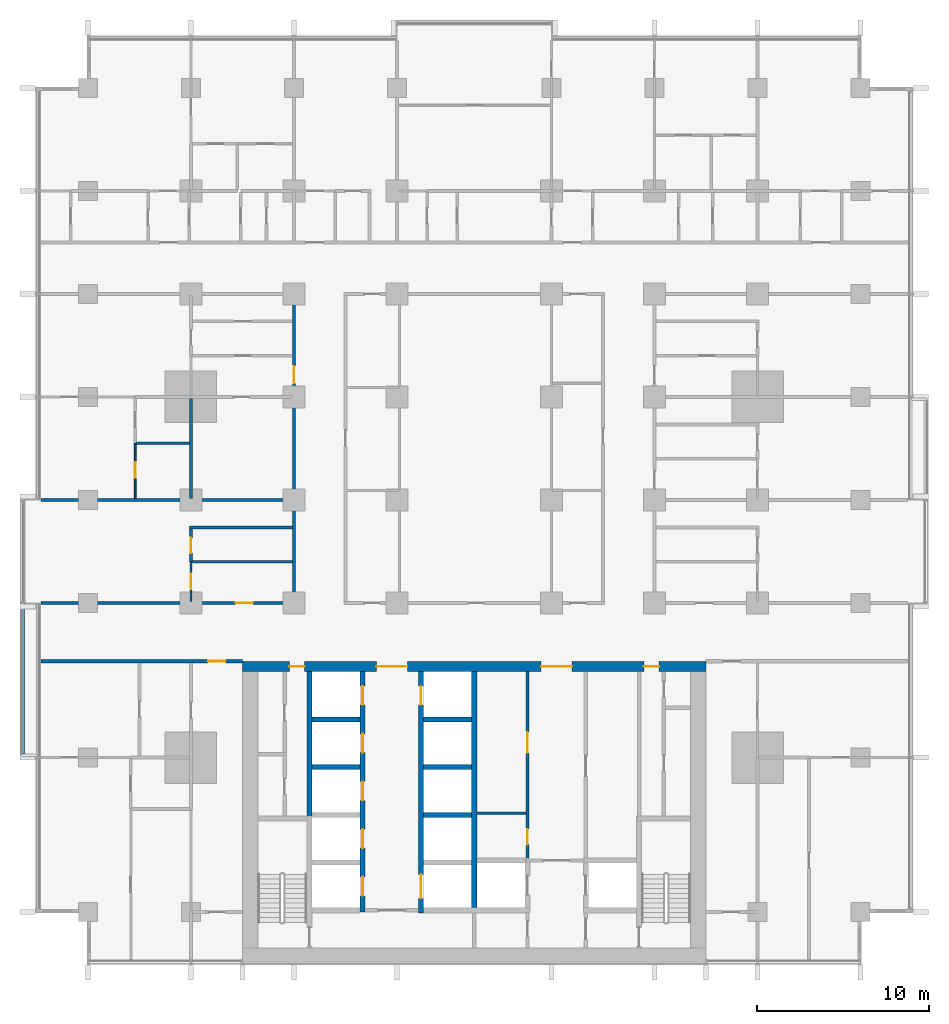
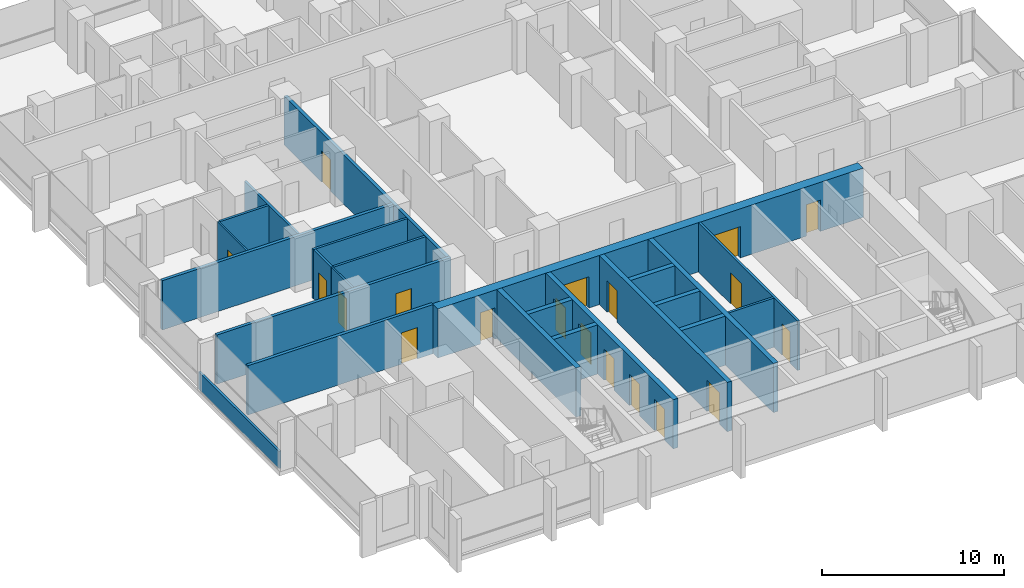
# One storey, part 8 of 18: 24 walls, 19 doors, 19 openings.
"""IFC4 building model written with IfcOpenShell, lengths in metres."""

from ifc_helpers import new_model, si_unit, direction, frame, frame_2d, origin, place, context, subcontext, project, spatial, rectangle, extrude, material, layer, layer_set, type_object, element, fill, save


model = new_model("IFC4")

# Units and contexts
model_context = context("Model", 3, precision=1e-05, world=origin(), true_north=direction((0.0, 1.0)))
body_context = subcontext(model_context, "Body", "Model", "MODEL_VIEW")
ifc_project = project(units=[si_unit("LENGTHUNIT", "METRE"), si_unit("AREAUNIT", "SQUARE_METRE"), si_unit("VOLUMEUNIT", "CUBIC_METRE"), si_unit("PLANEANGLEUNIT", "RADIAN"), si_unit("MASSUNIT", "GRAM", prefix="KILO")], contexts=[model_context])

# Site, building, storey
site_placement = place(None, origin())
site = spatial("IfcSite", under=ifc_project, at=site_placement, CompositionType="ELEMENT")
building_placement = place(site_placement, origin())
building = spatial("IfcBuilding", under=site, at=building_placement, Name="Finial Court Residences", CompositionType="ELEMENT")
storey_placement = place(building_placement, frame((0.0, 0.0, 43.300048828125)))
storey = spatial("IfcBuildingStorey", under=building, at=storey_placement, Name="L09", CompositionType="ELEMENT", Elevation=43.300048828125)

# Wall
ifc_material_1 = material(Name="Gypsum board")
ifc_layer_1 = layer(ifc_material_1, 0.02490234375)
ifc_material_2 = material(Name="Acoustic mineral wool in double frame")
ifc_layer_2 = layer(ifc_material_2, 0.14990234375)
ifc_layer_3 = layer(ifc_material_1, 0.02490234375)
ifc_layer_set_1 = layer_set([ifc_layer_1, ifc_layer_2, ifc_layer_3], Name="Acoustic party wall 200, 1 hour")
wall_type_1 = type_object("IfcWallType", Name="Acoustic party wall 200, 1 hour", PredefinedType="PARTITIONING", material=ifc_layer_set_1)
wall_1_placement = place(storey_placement, frame((-25.25, 1.5, 0.0), z_axis=(0.0, 0.0, 1.0), x_axis=(1.0, 0.0, 0.0)))
element("IfcWall", 1, at=wall_1_placement, inside=storey, type_object=wall_type_1, Name="Partition L09-016", PredefinedType="PARTITIONING", context=body_context, shape_type="SweptSolid", body=[
    extrude(rectangle(XDim=14.64990234375, YDim=0.199951171875, at=frame_2d((7.324951171875, 0.0))), origin(), (0.0, 0.0, 1.0), 3.300048828125),
])

# Wall, openings, doors
ifc_material_3 = material(Name="Concrete C80/95", Category="concrete")
ifc_layer_4 = layer(ifc_material_3, 0.60009765625)
ifc_layer_set_2 = layer_set([ifc_layer_4], Name="Core outer wall 600 Concrete C80/95")
wall_type_2 = type_object("IfcWallType", Name="Core outer wall 600 Concrete C80/95", PredefinedType="SHEAR", material=ifc_layer_set_2)
wall_2_placement = place(storey_placement, frame((-13.5, -8.199951171875, 0.0), z_axis=(0.0, 0.0, 1.0), x_axis=(1.0, 0.0, 0.0)))
wall_2 = element("IfcWall", 2, at=wall_2_placement, inside=storey, type_object=wall_type_2, Name="Core outer wall L09-02", PredefinedType="SHEAR", context=body_context, shape_type="SweptSolid", body=[
    extrude(rectangle(XDim=27.0, YDim=0.60009765625, at=frame_2d((13.5, 0.0))), origin(), (0.0, 0.0, 1.0), 3.300048828125),
])
opening_1_placement = place(wall_2_placement, frame((7.800048828125, 0.0, 0.0)))
opening_1 = element("IfcOpeningElement", 3, at=opening_1_placement, cuts=wall_2, Name="Opening L09-C04", PredefinedType="OPENING", context=body_context, shape_type="SweptSolid", body=[
    extrude(rectangle(XDim=1.800048828125, YDim=2.10009765625, at=frame_2d((0.89990234375, 1.050048828125))), frame((0.0, 0.31005859375, 0.0), z_axis=(0.0, -1.0, 0.0), x_axis=(1.0, 0.0, 0.0)), (0.0, 0.0, 1.0), 0.6201171875),
])
opening_2_placement = place(wall_2_placement, frame((17.39990234375, 0.0, 0.0)))
opening_2 = element("IfcOpeningElement", 4, at=opening_2_placement, cuts=wall_2, Name="Opening L09-C05", PredefinedType="OPENING", context=body_context, shape_type="SweptSolid", body=[
    extrude(rectangle(XDim=1.800048828125, YDim=2.10009765625, at=frame_2d((0.89990234375, 1.050048828125))), frame((0.0, 0.31005859375, 0.0), z_axis=(0.0, -1.0, 0.0), x_axis=(1.0, 0.0, 0.0)), (0.0, 0.0, 1.0), 0.6201171875),
])
opening_3_placement = place(wall_2_placement, frame((2.72509765625, 0.0, 0.0)))
opening_3 = element("IfcOpeningElement", 5, at=opening_3_placement, cuts=wall_2, Name="Opening L09-C10", PredefinedType="OPENING", context=body_context, shape_type="SweptSolid", body=[
    extrude(rectangle(XDim=0.89990234375, YDim=2.10009765625, at=frame_2d((0.449951171875, 1.050048828125))), frame((0.0, 0.31005859375, 0.0), z_axis=(0.0, -1.0, 0.0), x_axis=(1.0, 0.0, 0.0)), (0.0, 0.0, 1.0), 0.6201171875),
])
opening_4_placement = place(wall_2_placement, frame((23.375, 0.0, 0.0)))
opening_4 = element("IfcOpeningElement", 6, at=opening_4_placement, cuts=wall_2, Name="Opening L09-C11", PredefinedType="OPENING", context=body_context, shape_type="SweptSolid", body=[
    extrude(rectangle(XDim=0.89990234375, YDim=2.10009765625, at=frame_2d((0.449951171875, 1.050048828125))), frame((0.0, 0.31005859375, 0.0), z_axis=(0.0, -1.0, 0.0), x_axis=(1.0, 0.0, 0.0)), (0.0, 0.0, 1.0), 0.6201171875),
])
ifc_material_4 = material(Name="Steel fire door", Category="steel")
door_type_1 = type_object("IfcDoorType", Name="Lift lobby door 1800 x 2100 EI 60", OperationType="DOUBLE_DOOR_SINGLE_SWING", PredefinedType="DOOR", material=ifc_material_4)
door_1_placement = place(opening_1_placement, origin())
door_1 = element("IfcDoor", 7, at=door_1_placement, inside=storey, type_object=door_type_1, Name="Lift lobby door L09-C04", OperationType="DOUBLE_DOOR_SINGLE_SWING", OverallHeight=2.10009765625, OverallWidth=1.800048828125, PredefinedType="DOOR", context=body_context, shape_type="SweptSolid", body=[
    extrude(rectangle(XDim=1.800048828125, YDim=2.10009765625, at=frame_2d((0.89990234375, 1.050048828125))), frame((0.0, 0.02490234375, 0.0), z_axis=(0.0, -1.0, 0.0), x_axis=(1.0, 0.0, 0.0)), (0.0, 0.0, 1.0), 0.050048828125),
])
fill(opening_1, door_1)
door_2_placement = place(opening_2_placement, origin())
door_2 = element("IfcDoor", 8, at=door_2_placement, inside=storey, type_object=door_type_1, Name="Lift lobby door L09-C05", OperationType="DOUBLE_DOOR_SINGLE_SWING", OverallHeight=2.10009765625, OverallWidth=1.800048828125, PredefinedType="DOOR", context=body_context, shape_type="SweptSolid", body=[
    extrude(rectangle(XDim=1.800048828125, YDim=2.10009765625, at=frame_2d((0.89990234375, 1.050048828125))), frame((0.0, 0.02490234375, 0.0), z_axis=(0.0, -1.0, 0.0), x_axis=(1.0, 0.0, 0.0)), (0.0, 0.0, 1.0), 0.050048828125),
])
fill(opening_2, door_2)
door_type_2 = type_object("IfcDoorType", Name="Riser room door 900 x 2100 EI 90", OperationType="NOTDEFINED", PredefinedType="DOOR", material=ifc_material_4)
door_3_placement = place(opening_3_placement, origin())
door_3 = element("IfcDoor", 9, at=door_3_placement, inside=storey, type_object=door_type_2, Name="Riser room door L09-C10", OperationType="SINGLE_SWING_RIGHT", OverallHeight=2.10009765625, OverallWidth=0.89990234375, PredefinedType="DOOR", context=body_context, shape_type="SweptSolid", body=[
    extrude(rectangle(XDim=0.89990234375, YDim=2.10009765625, at=frame_2d((0.449951171875, 1.050048828125))), frame((0.0, 0.02490234375, 0.0), z_axis=(0.0, -1.0, 0.0), x_axis=(1.0, 0.0, 0.0)), (0.0, 0.0, 1.0), 0.050048828125),
])
fill(opening_3, door_3)
door_4_placement = place(opening_4_placement, origin())
door_4 = element("IfcDoor", 10, at=door_4_placement, inside=storey, type_object=door_type_2, Name="Riser room door L09-C11", OperationType="SINGLE_SWING_LEFT", OverallHeight=2.10009765625, OverallWidth=0.89990234375, PredefinedType="DOOR", context=body_context, shape_type="SweptSolid", body=[
    extrude(rectangle(XDim=0.89990234375, YDim=2.10009765625, at=frame_2d((0.449951171875, 1.050048828125))), frame((0.0, 0.02490234375, 0.0), z_axis=(0.0, -1.0, 0.0), x_axis=(1.0, 0.0, 0.0)), (0.0, 0.0, 1.0), 0.050048828125),
])
fill(opening_4, door_4)

# Wall
ifc_material_5 = material(Name="Fire-rated gypsum board partition")
ifc_layer_5 = layer(ifc_material_5, 0.14990234375)
ifc_layer_set_3 = layer_set([ifc_layer_5], Name="Core room partition 150 EI 60")
wall_type_3 = type_object("IfcWallType", Name="Core room partition 150 EI 60", PredefinedType="PARTITIONING", material=ifc_layer_set_3)
wall_3_placement = place(storey_placement, frame((0.14990234375, -16.75, 0.0), z_axis=(0.0, 0.0, 1.0), x_axis=(1.0, 0.0, 0.0)))
element("IfcWall", 11, at=wall_3_placement, inside=storey, type_object=wall_type_3, Name="Core partition L09-14", PredefinedType="PARTITIONING", context=body_context, shape_type="SweptSolid", body=[
    extrude(rectangle(XDim=2.875, YDim=0.14990234375, at=frame_2d((1.4375, 0.0))), origin(), (0.0, 0.0, 1.0), 3.300048828125),
])

# Wall, openings, doors
wall_4_placement = place(storey_placement, frame((3.10009765625, -19.39990234375, 0.0), z_axis=(0.0, 0.0, 1.0), x_axis=(0.0, 1.0, 0.0)))
wall_4 = element("IfcWall", 12, at=wall_4_placement, inside=storey, type_object=wall_type_3, Name="Core partition L09-31", PredefinedType="PARTITIONING", context=body_context, shape_type="SweptSolid", body=[
    extrude(rectangle(XDim=10.89990234375, YDim=0.14990234375, at=frame_2d((5.449951171875, 0.0))), origin(), (0.0, 0.0, 1.0), 3.300048828125),
])
opening_5_placement = place(wall_4_placement, frame((0.824951171875, 0.0, 0.0)))
opening_5 = element("IfcOpeningElement", 13, at=opening_5_placement, cuts=wall_4, Name="Opening L09-C14", PredefinedType="OPENING", context=body_context, shape_type="SweptSolid", body=[
    extrude(rectangle(XDim=0.89990234375, YDim=2.10009765625, at=frame_2d((0.449951171875, 1.050048828125))), frame((0.0, 0.0849609375, 0.0), z_axis=(0.0, -1.0, 0.0), x_axis=(1.0, 0.0, 0.0)), (0.0, 0.0, 1.0), 0.169921875),
])
opening_6_placement = place(wall_4_placement, frame((6.175048828125, 0.0, 0.0)))
opening_6 = element("IfcOpeningElement", 14, at=opening_6_placement, cuts=wall_4, Name="Opening L09-C15", PredefinedType="OPENING", context=body_context, shape_type="SweptSolid", body=[
    extrude(rectangle(XDim=1.199951171875, YDim=2.10009765625, at=frame_2d((0.60009765625, 1.050048828125))), frame((0.0, 0.0849609375, 0.0), z_axis=(0.0, -1.0, 0.0), x_axis=(1.0, 0.0, 0.0)), (0.0, 0.0, 1.0), 0.169921875),
])
door_type_3 = type_object("IfcDoorType", Name="Core room door 1200 x 2100 EI 60", OperationType="NOTDEFINED", PredefinedType="DOOR", material=ifc_material_4)
door_5_placement = place(opening_6_placement, origin())
door_5 = element("IfcDoor", 15, at=door_5_placement, inside=storey, type_object=door_type_3, Name="Core room door L09-C15", OperationType="SINGLE_SWING_LEFT", OverallHeight=2.10009765625, OverallWidth=1.199951171875, PredefinedType="DOOR", context=body_context, shape_type="SweptSolid", body=[
    extrude(rectangle(XDim=1.199951171875, YDim=2.10009765625, at=frame_2d((0.60009765625, 1.050048828125))), frame((0.0, 0.02490234375, 0.0), z_axis=(0.0, -1.0, 0.0), x_axis=(1.0, 0.0, 0.0)), (0.0, 0.0, 1.0), 0.050048828125),
])
fill(opening_6, door_5)
door_type_4 = type_object("IfcDoorType", Name="Core room door 900 x 2100 EI 60", OperationType="NOTDEFINED", PredefinedType="DOOR", material=ifc_material_4)
door_6_placement = place(opening_5_placement, origin())
door_6 = element("IfcDoor", 16, at=door_6_placement, inside=storey, type_object=door_type_4, Name="Core room door L09-C14", OperationType="SINGLE_SWING_LEFT", OverallHeight=2.10009765625, OverallWidth=0.89990234375, PredefinedType="DOOR", context=body_context, shape_type="SweptSolid", body=[
    extrude(rectangle(XDim=0.89990234375, YDim=2.10009765625, at=frame_2d((0.449951171875, 1.050048828125))), frame((0.0, 0.02490234375, 0.0), z_axis=(0.0, -1.0, 0.0), x_axis=(1.0, 0.0, 0.0)), (0.0, 0.0, 1.0), 0.050048828125),
])
fill(opening_5, door_6)

# Wall, opening, door
ifc_layer_6 = layer(ifc_material_1, 0.02490234375)
ifc_layer_7 = layer(ifc_material_2, 0.14990234375)
ifc_layer_8 = layer(ifc_material_1, 0.02490234375)
ifc_layer_set_4 = layer_set([ifc_layer_6, ifc_layer_7, ifc_layer_8], Name="Corridor wall 200, 1 hour")
wall_type_4 = type_object("IfcWallType", Name="Corridor wall 200, 1 hour", PredefinedType="PARTITIONING", material=ifc_layer_set_4)
wall_5_placement = place(storey_placement, frame((-25.25, -7.89990234375, 0.0), z_axis=(0.0, 0.0, 1.0), x_axis=(1.0, 0.0, 0.0)))
wall_5 = element("IfcWall", 17, at=wall_5_placement, inside=storey, type_object=wall_type_4, Name="Partition L09-007", PredefinedType="PARTITIONING", context=body_context, shape_type="SweptSolid", body=[
    extrude(rectangle(XDim=11.75, YDim=0.199951171875, at=frame_2d((5.875, 0.0))), origin(), (0.0, 0.0, 1.0), 3.300048828125),
])
opening_7_placement = place(wall_5_placement, frame((9.75, 0.0, 0.0)))
opening_7 = element("IfcOpeningElement", 18, at=opening_7_placement, cuts=wall_5, Name="Opening L09-D005", PredefinedType="OPENING", context=body_context, shape_type="SweptSolid", body=[
    extrude(rectangle(XDim=1.0, YDim=2.10009765625, at=frame_2d((0.5, 1.050048828125))), frame((0.0, 0.10986328125, 0.0), z_axis=(0.0, -1.0, 0.0), x_axis=(1.0, 0.0, 0.0)), (0.0, 0.0, 1.0), 0.219970703125),
])
ifc_material_6 = material(Name="Timber door leaf in hollow metal frame", Category="wood")
door_type_5 = type_object("IfcDoorType", Name="Fire door set 1000 x 2100, 30 minutes", OperationType="SINGLE_SWING_LEFT", PredefinedType="DOOR", material=ifc_material_6)
door_7_placement = place(opening_7_placement, origin())
door_7 = element("IfcDoor", 19, at=door_7_placement, inside=storey, type_object=door_type_5, Name="Door L09-D005", OperationType="SINGLE_SWING_RIGHT", OverallHeight=2.10009765625, OverallWidth=1.0, PredefinedType="DOOR", context=body_context, shape_type="SweptSolid", body=[
    extrude(rectangle(XDim=1.0, YDim=2.10009765625, at=frame_2d((0.5, 1.050048828125))), frame((0.0, 0.02490234375, 0.0), z_axis=(0.0, -1.0, 0.0), x_axis=(1.0, 0.0, 0.0)), (0.0, 0.0, 1.0), 0.050048828125),
])
fill(opening_7, door_7)

wall_6_placement = place(storey_placement, frame((-25.25, -4.5, 0.0), z_axis=(0.0, 0.0, 1.0), x_axis=(1.0, 0.0, 0.0)))
wall_6 = element("IfcWall", 20, at=wall_6_placement, inside=storey, type_object=wall_type_4, Name="Partition L09-009", PredefinedType="PARTITIONING", context=body_context, shape_type="SweptSolid", body=[
    extrude(rectangle(XDim=14.85009765625, YDim=0.199951171875, at=frame_2d((7.425048828125, 0.0))), origin(), (0.0, 0.0, 1.0), 3.300048828125),
])
opening_8_placement = place(wall_6_placement, frame((11.35009765625, 0.0, 0.0)))
opening_8 = element("IfcOpeningElement", 21, at=opening_8_placement, cuts=wall_6, Name="Opening L09-D007", PredefinedType="OPENING", context=body_context, shape_type="SweptSolid", body=[
    extrude(rectangle(XDim=1.0, YDim=2.10009765625, at=frame_2d((0.5, 1.050048828125))), frame((0.0, 0.10986328125, 0.0), z_axis=(0.0, -1.0, 0.0), x_axis=(1.0, 0.0, 0.0)), (0.0, 0.0, 1.0), 0.219970703125),
])
door_8_placement = place(opening_8_placement, origin())
door_8 = element("IfcDoor", 22, at=door_8_placement, inside=storey, type_object=door_type_5, Name="Door L09-D007", OperationType="SINGLE_SWING_LEFT", OverallHeight=2.10009765625, OverallWidth=1.0, PredefinedType="DOOR", context=body_context, shape_type="SweptSolid", body=[
    extrude(rectangle(XDim=1.0, YDim=2.10009765625, at=frame_2d((0.5, 1.050048828125))), frame((0.0, 0.02490234375, 0.0), z_axis=(0.0, -1.0, 0.0), x_axis=(1.0, 0.0, 0.0)), (0.0, 0.0, 1.0), 0.050048828125),
])
fill(opening_8, door_8)

wall_7_placement = place(storey_placement, frame((-10.5, -4.39990234375, 0.0), z_axis=(0.0, 0.0, 1.0), x_axis=(0.0, 1.0, 0.0)))
wall_7 = element("IfcWall", 23, at=wall_7_placement, inside=storey, type_object=wall_type_4, Name="Partition L09-076", PredefinedType="PARTITIONING", context=body_context, shape_type="SweptSolid", body=[
    extrude(rectangle(XDim=17.7998046875, YDim=0.199951171875, at=frame_2d((8.89990234375, 0.0))), origin(), (0.0, 0.0, 1.0), 3.300048828125),
])
opening_9_placement = place(wall_7_placement, frame((12.699951171875, 0.0, 0.0)))
opening_9 = element("IfcOpeningElement", 24, at=opening_9_placement, cuts=wall_7, Name="Opening L09-D049", PredefinedType="OPENING", context=body_context, shape_type="SweptSolid", body=[
    extrude(rectangle(XDim=1.0, YDim=2.10009765625, at=frame_2d((0.5, 1.050048828125))), frame((0.0, 0.10986328125, 0.0), z_axis=(0.0, -1.0, 0.0), x_axis=(1.0, 0.0, 0.0)), (0.0, 0.0, 1.0), 0.219970703125),
])
door_9_placement = place(opening_9_placement, origin())
door_9 = element("IfcDoor", 25, at=door_9_placement, inside=storey, type_object=door_type_5, Name="Door L09-D049", OperationType="SINGLE_SWING_LEFT", OverallHeight=2.10009765625, OverallWidth=1.0, PredefinedType="DOOR", context=body_context, shape_type="SweptSolid", body=[
    extrude(rectangle(XDim=1.0, YDim=2.10009765625, at=frame_2d((0.5, 1.050048828125))), frame((0.0, 0.02490234375, 0.0), z_axis=(0.0, -1.0, 0.0), x_axis=(1.0, 0.0, 0.0)), (0.0, 0.0, 1.0), 0.050048828125),
])
fill(opening_9, door_9)

ifc_layer_9 = layer(ifc_material_1, 0.012451171875)
ifc_material_7 = material(Name="Mineral wool in light-gauge frame")
ifc_layer_10 = layer(ifc_material_7, 0.074951171875)
ifc_layer_11 = layer(ifc_material_1, 0.012451171875)
ifc_layer_set_5 = layer_set([ifc_layer_9, ifc_layer_10, ifc_layer_11], Name="Gypsum board partition 100")
wall_type_5 = type_object("IfcWallType", Name="Gypsum board partition 100", PredefinedType="PARTITIONING", material=ifc_layer_set_5)
wall_8_placement = place(storey_placement, frame((-19.75, 1.60009765625, 0.0), z_axis=(0.0, 0.0, 1.0), x_axis=(0.0, 1.0, 0.0)))
wall_8 = element("IfcWall", 26, at=wall_8_placement, inside=storey, type_object=wall_type_5, Name="Partition L09-058", PredefinedType="PARTITIONING", context=body_context, shape_type="SweptSolid", body=[
    extrude(rectangle(XDim=3.199951171875, YDim=0.10009765625, at=frame_2d((1.60009765625, 0.0))), origin(), (0.0, 0.0, 1.0), 3.300048828125),
])
opening_10_placement = place(wall_8_placement, frame((1.199951171875, 0.0, 0.0)))
opening_10 = element("IfcOpeningElement", 27, at=opening_10_placement, cuts=wall_8, Name="Opening L09-D037", PredefinedType="OPENING", context=body_context, shape_type="SweptSolid", body=[
    extrude(rectangle(XDim=0.89990234375, YDim=2.10009765625, at=frame_2d((0.449951171875, 1.050048828125))), frame((0.0, 0.06005859375, 0.0), z_axis=(0.0, -1.0, 0.0), x_axis=(1.0, 0.0, 0.0)), (0.0, 0.0, 1.0), 0.1201171875),
])
ifc_material_8 = material(Name="Timber door leaf in timber frame", Category="wood")
door_type_6 = type_object("IfcDoorType", Name="Door set 900 x 2100", OperationType="SINGLE_SWING_LEFT", PredefinedType="DOOR", material=ifc_material_8)
door_10_placement = place(opening_10_placement, origin())
door_10 = element("IfcDoor", 28, at=door_10_placement, inside=storey, type_object=door_type_6, Name="Door L09-D037", OperationType="SINGLE_SWING_LEFT", OverallHeight=2.10009765625, OverallWidth=0.89990234375, PredefinedType="DOOR", context=body_context, shape_type="SweptSolid", body=[
    extrude(rectangle(XDim=0.89990234375, YDim=2.10009765625, at=frame_2d((0.449951171875, 1.050048828125))), frame((0.0, 0.02490234375, 0.0), z_axis=(0.0, -1.0, 0.0), x_axis=(1.0, 0.0, 0.0)), (0.0, 0.0, 1.0), 0.050048828125),
])
fill(opening_10, door_10)

wall_9_placement = place(storey_placement, frame((-16.5, -4.39990234375, 0.0), z_axis=(0.0, 0.0, 1.0), x_axis=(0.0, 1.0, 0.0)))
wall_9 = element("IfcWall", 29, at=wall_9_placement, inside=storey, type_object=wall_type_5, Name="Partition L09-064", PredefinedType="PARTITIONING", context=body_context, shape_type="SweptSolid", body=[
    extrude(rectangle(XDim=2.2998046875, YDim=0.10009765625, at=frame_2d((1.14990234375, 0.0))), origin(), (0.0, 0.0, 1.0), 3.300048828125),
])
opening_11_placement = place(wall_9_placement, frame((0.699951171875, 0.0, 0.0)))
opening_11 = element("IfcOpeningElement", 30, at=opening_11_placement, cuts=wall_9, Name="Opening L09-D042", PredefinedType="OPENING", context=body_context, shape_type="SweptSolid", body=[
    extrude(rectangle(XDim=0.89990234375, YDim=2.10009765625, at=frame_2d((0.449951171875, 1.050048828125))), frame((0.0, 0.06005859375, 0.0), z_axis=(0.0, -1.0, 0.0), x_axis=(1.0, 0.0, 0.0)), (0.0, 0.0, 1.0), 0.1201171875),
])
door_11_placement = place(opening_11_placement, origin())
door_11 = element("IfcDoor", 31, at=door_11_placement, inside=storey, type_object=door_type_6, Name="Door L09-D042", OperationType="SINGLE_SWING_LEFT", OverallHeight=2.10009765625, OverallWidth=0.89990234375, PredefinedType="DOOR", context=body_context, shape_type="SweptSolid", body=[
    extrude(rectangle(XDim=0.89990234375, YDim=2.10009765625, at=frame_2d((0.449951171875, 1.050048828125))), frame((0.0, 0.02490234375, 0.0), z_axis=(0.0, -1.0, 0.0), x_axis=(1.0, 0.0, 0.0)), (0.0, 0.0, 1.0), 0.050048828125),
])
fill(opening_11, door_11)

# Walls
ifc_material_9 = material(Name="Moisture-resistant gypsum board")
ifc_layer_12 = layer(ifc_material_9, 0.012451171875)
ifc_layer_13 = layer(ifc_material_7, 0.125)
ifc_layer_14 = layer(ifc_material_9, 0.012451171875)
ifc_layer_set_6 = layer_set([ifc_layer_12, ifc_layer_13, ifc_layer_14], Name="Gypsum board wet-area partition 150")
wall_type_6 = type_object("IfcWallType", Name="Gypsum board wet-area partition 150", PredefinedType="PARTITIONING", material=ifc_layer_set_6)
wall_10_placement = place(storey_placement, frame((-16.425048828125, -2.10009765625, 0.0), z_axis=(0.0, 0.0, 1.0), x_axis=(1.0, 0.0, 0.0)))
element("IfcWall", 32, at=wall_10_placement, inside=storey, type_object=wall_type_6, Name="Partition L09-012", PredefinedType="PARTITIONING", context=body_context, shape_type="SweptSolid", body=[
    extrude(rectangle(XDim=5.824951171875, YDim=0.14990234375, at=frame_2d((2.91259765625, 0.0))), origin(), (0.0, 0.0, 1.0), 3.300048828125),
])
wall_11_placement = place(storey_placement, frame((-16.574951171875, -0.10009765625, 0.0), z_axis=(0.0, 0.0, 1.0), x_axis=(1.0, 0.0, 0.0)))
element("IfcWall", 33, at=wall_11_placement, inside=storey, type_object=wall_type_6, Name="Partition L09-014", PredefinedType="PARTITIONING", context=body_context, shape_type="SweptSolid", body=[
    extrude(rectangle(XDim=5.974853515625, YDim=0.14990234375, at=frame_2d((2.9873046875, 0.0))), origin(), (0.0, 0.0, 1.0), 3.300048828125),
])
wall_12_placement = place(storey_placement, frame((-19.675048828125, 4.800048828125, 0.0), z_axis=(0.0, 0.0, 1.0), x_axis=(1.0, 0.0, 0.0)))
element("IfcWall", 34, at=wall_12_placement, inside=storey, type_object=wall_type_6, Name="Partition L09-021", PredefinedType="PARTITIONING", context=body_context, shape_type="SweptSolid", body=[
    extrude(rectangle(XDim=3.10009765625, YDim=0.14990234375, at=frame_2d((1.550048828125, 0.0))), origin(), (0.0, 0.0, 1.0), 3.300048828125),
])

# Wall, opening, door
wall_13_placement = place(storey_placement, frame((-16.5, -2.10009765625, 0.0), z_axis=(0.0, 0.0, 1.0), x_axis=(0.0, 1.0, 0.0)))
wall_13 = element("IfcWall", 35, at=wall_13_placement, inside=storey, type_object=wall_type_6, Name="Partition L09-069", PredefinedType="PARTITIONING", context=body_context, shape_type="SweptSolid", body=[
    extrude(rectangle(XDim=1.925048828125, YDim=0.14990234375, at=frame_2d((0.96240234375, 0.0))), origin(), (0.0, 0.0, 1.0), 3.300048828125),
])
opening_12_placement = place(wall_13_placement, frame((0.5, 0.0, 0.0)))
opening_12 = element("IfcOpeningElement", 36, at=opening_12_placement, cuts=wall_13, Name="Opening L09-D045", PredefinedType="OPENING", context=body_context, shape_type="SweptSolid", body=[
    extrude(rectangle(XDim=0.89990234375, YDim=2.10009765625, at=frame_2d((0.449951171875, 1.050048828125))), frame((0.0, 0.0849609375, 0.0), z_axis=(0.0, -1.0, 0.0), x_axis=(1.0, 0.0, 0.0)), (0.0, 0.0, 1.0), 0.169921875),
])
door_12_placement = place(opening_12_placement, origin())
door_12 = element("IfcDoor", 37, at=door_12_placement, inside=storey, type_object=door_type_6, Name="Door L09-D045", OperationType="SINGLE_SWING_LEFT", OverallHeight=2.10009765625, OverallWidth=0.89990234375, PredefinedType="DOOR", context=body_context, shape_type="SweptSolid", body=[
    extrude(rectangle(XDim=0.89990234375, YDim=2.10009765625, at=frame_2d((0.449951171875, 1.050048828125))), frame((0.0, 0.02490234375, 0.0), z_axis=(0.0, -1.0, 0.0), x_axis=(1.0, 0.0, 0.0)), (0.0, 0.0, 1.0), 0.050048828125),
])
fill(opening_12, door_12)

# Walls
wall_14_placement = place(storey_placement, frame((-16.5, 1.60009765625, 0.0), z_axis=(0.0, 0.0, 1.0), x_axis=(0.0, 1.0, 0.0)))
element("IfcWall", 38, at=wall_14_placement, inside=storey, type_object=wall_type_6, Name="Partition L09-070", PredefinedType="PARTITIONING", context=body_context, shape_type="SweptSolid", body=[
    extrude(rectangle(XDim=5.824951171875, YDim=0.14990234375, at=frame_2d((2.91259765625, 0.0))), origin(), (0.0, 0.0, 1.0), 3.300048828125),
])
ifc_material_10 = material(Name="Concrete C35/45", Category="concrete")
ifc_layer_15 = layer(ifc_material_10, 0.14990234375)
ifc_layer_set_7 = layer_set([ifc_layer_15], Name="Ledge parapet, Concrete C35/45 150")
wall_type_7 = type_object("IfcWallType", Name="Ledge parapet, Concrete C35/45 150", PredefinedType="PARAPET", material=ifc_layer_set_7)
wall_15_placement = place(storey_placement, frame((-26.27490234375, -13.300048828125, 0.0), z_axis=(0.0, 0.0, 1.0), x_axis=(0.0, 1.0, 0.0)))
element("IfcWall", 39, at=wall_15_placement, inside=storey, type_object=wall_type_7, Name="E-L09-LED2-P2", PredefinedType="PARAPET", context=body_context, shape_type="SweptSolid", body=[
    extrude(rectangle(XDim=8.840087890625, YDim=0.14990234375, at=frame_2d((4.419921875, 0.0))), origin(), (0.0, 0.0, 1.0), 1.14990234375),
])
ifc_layer_16 = layer(ifc_material_3, 0.300048828125)
ifc_layer_set_8 = layer_set([ifc_layer_16], Name="Lift shaft and stair wall 300 Concrete C80/95")
wall_type_8 = type_object("IfcWallType", Name="Lift shaft and stair wall 300 Concrete C80/95", PredefinedType="SHEAR", material=ifc_layer_set_8)
for number, where, z_axis, x_axis, name in (
    (40, (-2.949951171875, -16.840087890625, 0.0), (0.0, 0.0, 1.0), (1.0, 0.0, 0.0), "Core wall L09-13"),
    (41, (-9.449951171875, -14.06005859375, 0.0), (0.0, 0.0, 1.0), (1.0, 0.0, 0.0), "Core wall L09-15"),
    (42, (-2.949951171875, -14.06005859375, 0.0), (0.0, 0.0, 1.0), (1.0, 0.0, 0.0), "Core wall L09-16"),
    (43, (-9.449951171875, -11.280029296875, 0.0), (0.0, 0.0, 1.0), (1.0, 0.0, 0.0), "Core wall L09-18"),
    (44, (-2.949951171875, -11.280029296875, 0.0), (0.0, 0.0, 1.0), (1.0, 0.0, 0.0), "Core wall L09-19"),
):
    element("IfcWall", number, at=place(storey_placement, frame(where, z_axis=z_axis, x_axis=x_axis)), inside=storey, type_object=wall_type_8, Name=name, PredefinedType="SHEAR", context=body_context, shape_type="SweptSolid", body=[
        extrude(rectangle(XDim=2.800048828125, YDim=0.300048828125, at=frame_2d((1.39990234375, 0.0))), origin(), (0.0, 0.0, 1.0), 3.300048828125),
    ])
wall_16_placement = place(storey_placement, frame((-9.60009765625, -17.199951171875, 0.0), z_axis=(0.0, 0.0, 1.0), x_axis=(0.0, 1.0, 0.0)))
element("IfcWall", 45, at=wall_16_placement, inside=storey, type_object=wall_type_8, Name="Core wall L09-24", PredefinedType="SHEAR", context=body_context, shape_type="SweptSolid", body=[
    extrude(rectangle(XDim=8.699951171875, YDim=0.300048828125, at=frame_2d((4.35009765625, 0.0))), origin(), (0.0, 0.0, 1.0), 3.300048828125),
])

# Wall, openings, doors
wall_17_placement = place(storey_placement, frame((-6.5, -22.5, 0.0), z_axis=(0.0, 0.0, 1.0), x_axis=(0.0, 1.0, 0.0)))
wall_17 = element("IfcWall", 46, at=wall_17_placement, inside=storey, type_object=wall_type_8, Name="Core wall L09-25", PredefinedType="SHEAR", context=body_context, shape_type="SweptSolid", body=[
    extrude(rectangle(XDim=14.0, YDim=0.300048828125, at=frame_2d((7.0, 0.0))), origin(), (0.0, 0.0, 1.0), 3.300048828125),
])
opening_13_placement = place(wall_17_placement, frame((0.93994140625, 0.0, 0.0)))
opening_13 = element("IfcOpeningElement", 47, at=opening_13_placement, cuts=wall_17, Name="Opening L09-LD03", PredefinedType="OPENING", context=body_context, shape_type="SweptSolid", body=[
    extrude(rectangle(XDim=1.10009765625, YDim=2.10009765625, at=frame_2d((0.550048828125, 1.050048828125))), frame((0.0, 0.159912109375, 0.0), z_axis=(0.0, -1.0, 0.0), x_axis=(1.0, 0.0, 0.0)), (0.0, 0.0, 1.0), 0.320068359375),
])
opening_14_placement = place(wall_17_placement, frame((3.719970703125, 0.0, 0.0)))
opening_14 = element("IfcOpeningElement", 48, at=opening_14_placement, cuts=wall_17, Name="Opening L09-LD04", PredefinedType="OPENING", context=body_context, shape_type="SweptSolid", body=[
    extrude(rectangle(XDim=1.10009765625, YDim=2.10009765625, at=frame_2d((0.550048828125, 1.050048828125))), frame((0.0, 0.159912109375, 0.0), z_axis=(0.0, -1.0, 0.0), x_axis=(1.0, 0.0, 0.0)), (0.0, 0.0, 1.0), 0.320068359375),
])
opening_15_placement = place(wall_17_placement, frame((6.5, 0.0, 0.0)))
opening_15 = element("IfcOpeningElement", 49, at=opening_15_placement, cuts=wall_17, Name="Opening L09-LD05", PredefinedType="OPENING", context=body_context, shape_type="SweptSolid", body=[
    extrude(rectangle(XDim=1.10009765625, YDim=2.10009765625, at=frame_2d((0.550048828125, 1.050048828125))), frame((0.0, 0.159912109375, 0.0), z_axis=(0.0, -1.0, 0.0), x_axis=(1.0, 0.0, 0.0)), (0.0, 0.0, 1.0), 0.320068359375),
])
opening_16_placement = place(wall_17_placement, frame((9.280029296875, 0.0, 0.0)))
opening_16 = element("IfcOpeningElement", 50, at=opening_16_placement, cuts=wall_17, Name="Opening L09-LD06", PredefinedType="OPENING", context=body_context, shape_type="SweptSolid", body=[
    extrude(rectangle(XDim=1.10009765625, YDim=2.10009765625, at=frame_2d((0.550048828125, 1.050048828125))), frame((0.0, 0.159912109375, 0.0), z_axis=(0.0, -1.0, 0.0), x_axis=(1.0, 0.0, 0.0)), (0.0, 0.0, 1.0), 0.320068359375),
])
opening_17_placement = place(wall_17_placement, frame((12.06005859375, 0.0, 0.0)))
opening_17 = element("IfcOpeningElement", 51, at=opening_17_placement, cuts=wall_17, Name="Opening L09-LD07", PredefinedType="OPENING", context=body_context, shape_type="SweptSolid", body=[
    extrude(rectangle(XDim=1.10009765625, YDim=2.10009765625, at=frame_2d((0.550048828125, 1.050048828125))), frame((0.0, 0.159912109375, 0.0), z_axis=(0.0, -1.0, 0.0), x_axis=(1.0, 0.0, 0.0)), (0.0, 0.0, 1.0), 0.320068359375),
])
ifc_material_11 = material(Name="Stainless steel lift door", Category="steel")
door_type_7 = type_object("IfcDoorType", Name="Lift landing door 1100 x 2100 EI 90", OperationType="DOUBLE_DOOR_SLIDING", PredefinedType="DOOR", material=ifc_material_11)
door_13_placement = place(opening_13_placement, origin())
door_13 = element("IfcDoor", 52, at=door_13_placement, inside=storey, type_object=door_type_7, Name="Lift landing door LR1 L09", OperationType="DOUBLE_DOOR_SLIDING", OverallHeight=2.10009765625, OverallWidth=1.10009765625, PredefinedType="DOOR", context=body_context, shape_type="SweptSolid", body=[
    extrude(rectangle(XDim=1.10009765625, YDim=2.10009765625, at=frame_2d((0.550048828125, 1.050048828125))), frame((0.0, 0.02490234375, 0.0), z_axis=(0.0, -1.0, 0.0), x_axis=(1.0, 0.0, 0.0)), (0.0, 0.0, 1.0), 0.050048828125),
])
fill(opening_13, door_13)
door_14_placement = place(opening_14_placement, origin())
door_14 = element("IfcDoor", 53, at=door_14_placement, inside=storey, type_object=door_type_7, Name="Lift landing door LR2 L09", OperationType="DOUBLE_DOOR_SLIDING", OverallHeight=2.10009765625, OverallWidth=1.10009765625, PredefinedType="DOOR", context=body_context, shape_type="SweptSolid", body=[
    extrude(rectangle(XDim=1.10009765625, YDim=2.10009765625, at=frame_2d((0.550048828125, 1.050048828125))), frame((0.0, 0.02490234375, 0.0), z_axis=(0.0, -1.0, 0.0), x_axis=(1.0, 0.0, 0.0)), (0.0, 0.0, 1.0), 0.050048828125),
])
fill(opening_14, door_14)
door_15_placement = place(opening_15_placement, origin())
door_15 = element("IfcDoor", 54, at=door_15_placement, inside=storey, type_object=door_type_7, Name="Lift landing door LR3 L09", OperationType="DOUBLE_DOOR_SLIDING", OverallHeight=2.10009765625, OverallWidth=1.10009765625, PredefinedType="DOOR", context=body_context, shape_type="SweptSolid", body=[
    extrude(rectangle(XDim=1.10009765625, YDim=2.10009765625, at=frame_2d((0.550048828125, 1.050048828125))), frame((0.0, 0.02490234375, 0.0), z_axis=(0.0, -1.0, 0.0), x_axis=(1.0, 0.0, 0.0)), (0.0, 0.0, 1.0), 0.050048828125),
])
fill(opening_15, door_15)
door_16_placement = place(opening_16_placement, origin())
door_16 = element("IfcDoor", 55, at=door_16_placement, inside=storey, type_object=door_type_7, Name="Lift landing door LR4 L09", OperationType="DOUBLE_DOOR_SLIDING", OverallHeight=2.10009765625, OverallWidth=1.10009765625, PredefinedType="DOOR", context=body_context, shape_type="SweptSolid", body=[
    extrude(rectangle(XDim=1.10009765625, YDim=2.10009765625, at=frame_2d((0.550048828125, 1.050048828125))), frame((0.0, 0.02490234375, 0.0), z_axis=(0.0, -1.0, 0.0), x_axis=(1.0, 0.0, 0.0)), (0.0, 0.0, 1.0), 0.050048828125),
])
fill(opening_16, door_16)
door_17_placement = place(opening_17_placement, origin())
door_17 = element("IfcDoor", 56, at=door_17_placement, inside=storey, type_object=door_type_7, Name="Lift landing door LR5 L09", OperationType="DOUBLE_DOOR_SLIDING", OverallHeight=2.10009765625, OverallWidth=1.10009765625, PredefinedType="DOOR", context=body_context, shape_type="SweptSolid", body=[
    extrude(rectangle(XDim=1.10009765625, YDim=2.10009765625, at=frame_2d((0.550048828125, 1.050048828125))), frame((0.0, 0.02490234375, 0.0), z_axis=(0.0, -1.0, 0.0), x_axis=(1.0, 0.0, 0.0)), (0.0, 0.0, 1.0), 0.050048828125),
])
fill(opening_17, door_17)

wall_18_placement = place(storey_placement, frame((-3.10009765625, -22.550048828125, 0.0), z_axis=(0.0, 0.0, 1.0), x_axis=(0.0, 1.0, 0.0)))
wall_18 = element("IfcWall", 57, at=wall_18_placement, inside=storey, type_object=wall_type_8, Name="Core wall L09-26", PredefinedType="SHEAR", context=body_context, shape_type="SweptSolid", body=[
    extrude(rectangle(XDim=14.050048828125, YDim=0.300048828125, at=frame_2d((7.02490234375, 0.0))), origin(), (0.0, 0.0, 1.0), 3.300048828125),
])
opening_18_placement = place(wall_18_placement, frame((12.110107421875, 0.0, 0.0)))
opening_18 = element("IfcOpeningElement", 58, at=opening_18_placement, cuts=wall_18, Name="Opening L09-LD08", PredefinedType="OPENING", context=body_context, shape_type="SweptSolid", body=[
    extrude(rectangle(XDim=1.10009765625, YDim=2.10009765625, at=frame_2d((0.550048828125, 1.050048828125))), frame((0.0, 0.159912109375, 0.0), z_axis=(0.0, -1.0, 0.0), x_axis=(1.0, 0.0, 0.0)), (0.0, 0.0, 1.0), 0.320068359375),
])
opening_19_placement = place(wall_18_placement, frame((0.840087890625, 0.0, 0.0)))
opening_19 = element("IfcOpeningElement", 59, at=opening_19_placement, cuts=wall_18, Name="Opening L09-LD09", PredefinedType="OPENING", context=body_context, shape_type="SweptSolid", body=[
    extrude(rectangle(XDim=1.39990234375, YDim=2.10009765625, at=frame_2d((0.699951171875, 1.050048828125))), frame((0.0, 0.159912109375, 0.0), z_axis=(0.0, -1.0, 0.0), x_axis=(1.0, 0.0, 0.0)), (0.0, 0.0, 1.0), 0.320068359375),
])
door_18_placement = place(opening_18_placement, origin())
door_18 = element("IfcDoor", 60, at=door_18_placement, inside=storey, type_object=door_type_7, Name="Lift landing door LR6 L09", OperationType="DOUBLE_DOOR_SLIDING", OverallHeight=2.10009765625, OverallWidth=1.10009765625, PredefinedType="DOOR", context=body_context, shape_type="SweptSolid", body=[
    extrude(rectangle(XDim=1.10009765625, YDim=2.10009765625, at=frame_2d((0.550048828125, 1.050048828125))), frame((0.0, 0.02490234375, 0.0), z_axis=(0.0, -1.0, 0.0), x_axis=(1.0, 0.0, 0.0)), (0.0, 0.0, 1.0), 0.050048828125),
])
fill(opening_18, door_18)
door_type_8 = type_object("IfcDoorType", Name="Lift landing door 1400 x 2100 EI 90", OperationType="DOUBLE_DOOR_SLIDING", PredefinedType="DOOR", material=ifc_material_11)
door_19_placement = place(opening_19_placement, origin())
door_19 = element("IfcDoor", 61, at=door_19_placement, inside=storey, type_object=door_type_8, Name="Lift landing door SV1 L09", OperationType="DOUBLE_DOOR_SLIDING", OverallHeight=2.10009765625, OverallWidth=1.39990234375, PredefinedType="DOOR", context=body_context, shape_type="SweptSolid", body=[
    extrude(rectangle(XDim=1.39990234375, YDim=2.10009765625, at=frame_2d((0.699951171875, 1.050048828125))), frame((0.0, 0.02490234375, 0.0), z_axis=(0.0, -1.0, 0.0), x_axis=(1.0, 0.0, 0.0)), (0.0, 0.0, 1.0), 0.050048828125),
])
fill(opening_19, door_19)

# Wall
wall_19_placement = place(storey_placement, frame((0.0, -22.25, 0.0), z_axis=(0.0, 0.0, 1.0), x_axis=(0.0, 1.0, 0.0)))
element("IfcWall", 62, at=wall_19_placement, inside=storey, type_object=wall_type_8, Name="Core wall L09-28", PredefinedType="SHEAR", context=body_context, shape_type="SweptSolid", body=[
    extrude(rectangle(XDim=13.75, YDim=0.300048828125, at=frame_2d((6.875, 0.0))), origin(), (0.0, 0.0, 1.0), 3.300048828125),
])

save(model, "model.ifc")
